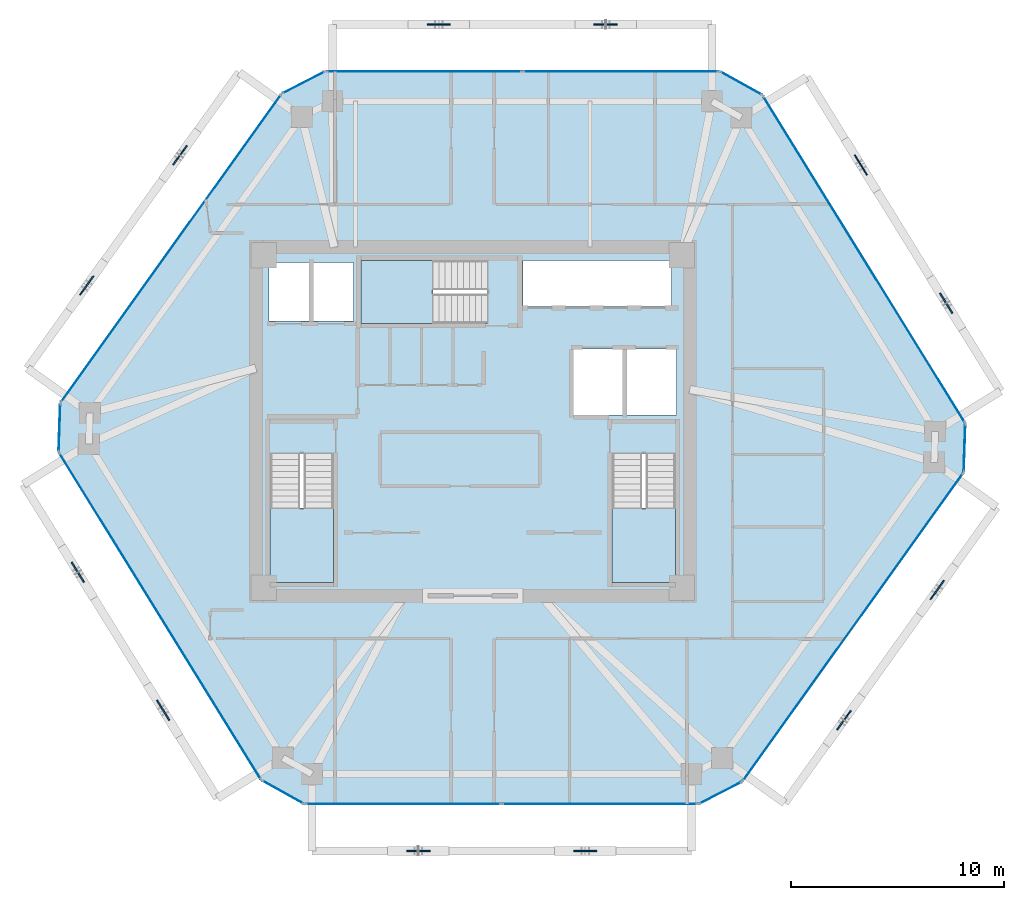
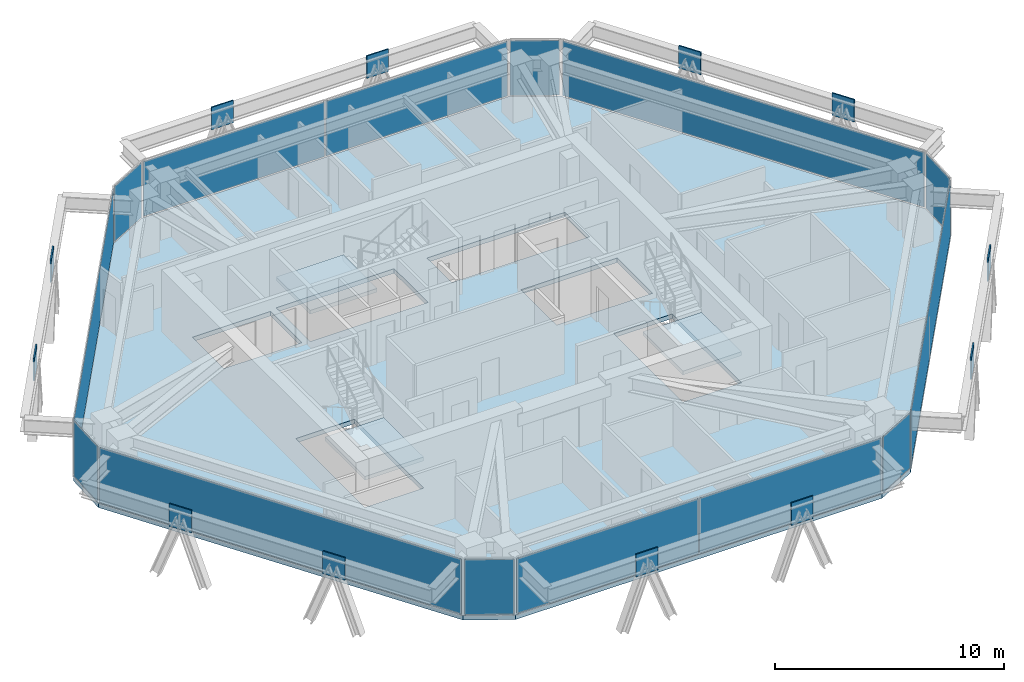
# One storey, part 7 of 14: 26 plates, 4 slabs, 15 elements without a shape of their own.
"""IFC4 building model written with IfcOpenShell, lengths in metres."""

from ifc_helpers import new_model, si_unit, direction, frame, origin, origin_2d, place, context, subcontext, project, spatial, polyline, rectangle, outline, extrude, source, transform, mapped, material, layer, layer_set, type_object, type_shapes, element, aggregate, save


model = new_model("IFC4")

# Units and contexts
model_context = context("Model", 3, precision=1e-05, world=origin(), true_north=direction((0.0, 1.0)))
body_context = subcontext(model_context, "Body", "Model", "MODEL_VIEW")
ifc_project = project(units=[si_unit("LENGTHUNIT", "METRE"), si_unit("AREAUNIT", "SQUARE_METRE"), si_unit("VOLUMEUNIT", "CUBIC_METRE"), si_unit("PLANEANGLEUNIT", "RADIAN"), si_unit("MASSUNIT", "GRAM", prefix="KILO")], contexts=[model_context])

# Site, building, storey
site_placement = place(None, origin())
site = spatial("IfcSite", under=ifc_project, at=site_placement, CompositionType="ELEMENT")
building_placement = place(site_placement, origin())
building = spatial("IfcBuilding", under=site, at=building_placement, Name="Durnholm Broadcast Tower", CompositionType="ELEMENT")
storey_placement = place(building_placement, frame((0.0, 0.0, 180.39990234375)))
storey = spatial("IfcBuildingStorey", under=building, at=storey_placement, Name="L49", CompositionType="ELEMENT", Elevation=180.39990234375)

# Slab
ifc_material_1 = material(Name="Concrete C50/60", Category="concrete")
ifc_layer_1 = layer(ifc_material_1, 0.239990234375)
ifc_layer_set_1 = layer_set([ifc_layer_1], Name="Concrete C50/60")
slab_type_1 = type_object("IfcSlabType", Name="SLAB-FLR-240", PredefinedType="FLOOR", material=ifc_layer_set_1)
slab_1_placement = place(storey_placement, frame((0.0, 0.0, -0.239990234375)))
element("IfcSlab", 1, at=slab_1_placement, inside=storey, type_object=slab_type_1, Name="L49 structural floor slab", PredefinedType="FLOOR", context=body_context, shape_type="SweptSolid", body=[
    extrude(outline(polyline([(-9.912353515625, -16.822021484375), (-7.9033203125, -17.94189453125), (10.59521484375, -17.94189453125), (12.64111328125, -16.890625), (23.022705078125, -2.390380859375), (23.1005859375, -0.091552734375), (13.59033203125, 15.2978515625), (11.581298828125, 16.41796875), (-6.917236328125, 16.41796875), (-8.962890625, 15.36669921875), (-19.3447265625, 0.8662109375), (-19.422607421875, -1.432373046875), (-9.912353515625, -16.822021484375)]), holes=[polyline([(-6.5400390625, -1.5), (-9.5, -1.5), (-9.5, -7.550048828125), (-6.5400390625, -7.550048828125), (-6.5400390625, -1.5)]), polyline([(9.5, -7.550048828125), (9.5, -1.5), (6.5400390625, -1.5), (6.5400390625, -7.550048828125), (9.5, -7.550048828125)]), polyline([(9.550048828125, 3.39990234375), (4.699951171875, 3.39990234375), (4.699951171875, 0.300048828125), (9.550048828125, 0.300048828125), (9.550048828125, 3.39990234375)]), polyline([(-9.550048828125, 7.449951171875), (-9.550048828125, 4.699951171875), (-5.60009765625, 4.699951171875), (-5.60009765625, 7.449951171875), (-9.550048828125, 7.449951171875)]), polyline([(-5.25, 4.60009765625), (0.699951171875, 4.60009765625), (0.699951171875, 7.56005859375), (-5.25, 7.56005859375), (-5.25, 4.60009765625)]), polyline([(9.31005859375, 7.550048828125), (2.35009765625, 7.550048828125), (2.35009765625, 5.39990234375), (9.31005859375, 5.39990234375), (9.31005859375, 7.550048828125)])]), origin(), (0.0, 0.0, 1.0), 0.239990234375),
])

# Stair, slab
stair_type = type_object("IfcStairType", Name="STAIR-DL-20R1650", PredefinedType="HALF_TURN_STAIR", material=ifc_material_1)
stair_1_placement = place(storey_placement, origin())
stair_1 = element("IfcStair", 2, at=stair_1_placement, inside=storey, type_object=stair_type, Name="L49 ST-1", PredefinedType="HALF_TURN_STAIR")
ifc_layer_2 = layer(ifc_material_1, 0.199951171875)
ifc_layer_set_2 = layer_set([ifc_layer_2], Name="Concrete C50/60")
slab_type_2 = type_object("IfcSlabType", Name="SLAB-LND-200", PredefinedType="LANDING", material=ifc_layer_set_2)
slab_2_placement = place(storey_placement, frame((0.0, 0.0, 1.4501953125)))
slab_2 = element("IfcSlab", 3, at=slab_2_placement, type_object=slab_type_2, Name="ST-1 landing 1", PredefinedType="LANDING", context=body_context, shape_type="SweptSolid", body=[
    extrude(outline(polyline([(-9.5, -4.06494140625), (-9.5, -7.550048828125), (-6.5400390625, -7.550048828125), (-6.5400390625, -4.06494140625), (-9.5, -4.06494140625)])), origin(), (0.0, 0.0, 1.0), 0.199951171875),
])
aggregate(stair_1, [slab_2])

stair_2_placement = place(storey_placement, origin())
stair_2 = element("IfcStair", 4, at=stair_2_placement, inside=storey, type_object=stair_type, Name="L49 ST-2", PredefinedType="HALF_TURN_STAIR")
slab_3_placement = place(storey_placement, frame((0.0, 0.0, 1.4501953125)))
slab_3 = element("IfcSlab", 5, at=slab_3_placement, type_object=slab_type_2, Name="ST-2 landing 1", PredefinedType="LANDING", context=body_context, shape_type="SweptSolid", body=[
    extrude(outline(polyline([(6.5400390625, -4.06494140625), (6.5400390625, -7.550048828125), (9.5, -7.550048828125), (9.5, -4.06494140625), (6.5400390625, -4.06494140625)])), origin(), (0.0, 0.0, 1.0), 0.199951171875),
])
aggregate(stair_2, [slab_3])

stair_3_placement = place(storey_placement, origin())
stair_3 = element("IfcStair", 6, at=stair_3_placement, inside=storey, type_object=stair_type, Name="L49 ST-3", PredefinedType="HALF_TURN_STAIR")
slab_4_placement = place(storey_placement, frame((0.0, 0.0, 1.4501953125)))
slab_4 = element("IfcSlab", 7, at=slab_4_placement, type_object=slab_type_2, Name="ST-3 landing 1", PredefinedType="LANDING", context=body_context, shape_type="SweptSolid", body=[
    extrude(outline(polyline([(-1.864990234375, 7.56005859375), (-5.25, 7.56005859375), (-5.25, 4.60009765625), (-1.864990234375, 4.60009765625), (-1.864990234375, 7.56005859375)])), origin(), (0.0, 0.0, 1.0), 0.199951171875),
])
aggregate(stair_3, [slab_4])

# Plates
ifc_material_2 = material(Name="Steel ASTM A572 Grade 50", Category="steel")
ifc_layer_3 = layer(ifc_material_2, 0.06494140625)
ifc_layer_set_3 = layer_set([ifc_layer_3], Name="Steel ASTM A572 Grade 50")
plate_type_1 = type_object("IfcPlateType", Name="PLT-KN07-GUS", PredefinedType="USERDEFINED", material=ifc_layer_set_3)
shared_shape_1 = source(origin(), body_context, "Body", "SweptSolid", [
    extrude(rectangle(XDim=1.10009765625, YDim=0.06494140625, at=origin_2d()), origin(), (0.0, 0.0, 1.0), 1.199951171875),
])
type_shapes(plate_type_1, [shared_shape_1])
for number, where, z_axis, x_axis, name in (
    (8, (-2.556640625, -20.14208984375, 1.70849609375), (0.0, 0.0, 1.0), (1.0, 0.0, 0.0), "L49 welded diagrid node gusset plate KN07 F1"),
    (9, (5.273681640625, -20.14208984375, 1.70849609375), (0.0, 0.0, 1.0), (1.0, 0.0, 0.0), "L49 welded diagrid node gusset plate KN07 F1"),
    (10, (17.40966796875, -14.009521484375, 1.70849609375), (0.0, 0.0, 1.0), (0.582122970157, 0.813100761047, 0.0), "L49 welded diagrid node gusset plate KN07 F2"),
    (11, (21.782470703125, -7.90185546875, 1.70849609375), (0.0, 0.0, 1.0), (0.582122970157, 0.813100761047, 0.0), "L49 welded diagrid node gusset plate KN07 F2"),
    (12, (22.202392578125, 5.546875, 1.70849609375), (0.0, 0.0, 1.0), (-0.525768608156, 0.850627633385, 0.0), "L49 welded diagrid node gusset plate KN07 F3"),
    (13, (18.2001953125, 12.023193359375, 1.70849609375), (0.0, 0.0, 1.0), (-0.525768608156, 0.850627633385, 0.0), "L49 welded diagrid node gusset plate KN07 F3"),
    (14, (6.234619140625, 18.617919921875, 1.70849609375), (0.0, 0.0, 1.0), (-1.0, 0.0, 0.0), "L49 welded diagrid node gusset plate KN07 F4"),
    (15, (-1.595703125, 18.617919921875, 1.70849609375), (0.0, 0.0, 1.0), (-1.0, 0.0, 0.0), "L49 welded diagrid node gusset plate KN07 F4"),
    (16, (-13.731689453125, 12.485595703125, 1.70849609375), (0.0, 0.0, 1.0), (-0.582122970157, -0.813100761047, 0.0), "L49 welded diagrid node gusset plate KN07 F5"),
    (17, (-18.1044921875, 6.3779296875, 1.70849609375), (0.0, 0.0, 1.0), (-0.582122970157, -0.813100761047, 0.0), "L49 welded diagrid node gusset plate KN07 F5"),
    (18, (-18.5244140625, -7.07080078125, 1.70849609375), (0.0, 0.0, 1.0), (0.525768608156, -0.850627633385, 0.0), "L49 welded diagrid node gusset plate KN07 F6"),
    (19, (-14.522216796875, -13.54736328125, 1.70849609375), (0.0, 0.0, 1.0), (0.525768608156, -0.850627633385, 0.0), "L49 welded diagrid node gusset plate KN07 F6"),
):
    element("IfcPlate", number, at=place(storey_placement, frame(where, z_axis=z_axis, x_axis=x_axis)), inside=storey, type_object=plate_type_1, Name=name, ObjectType="GUSSET_PLATE", PredefinedType="USERDEFINED", context=body_context, shape_type="MappedRepresentation", body=[
        mapped(shared_shape_1, transform((0.0, 0.0, 0.0), x_axis=(1.0, 0.0, 0.0), y_axis=(0.0, 1.0, 0.0), z_axis=(0.0, 0.0, 1.0), scale=1.0)),
    ])

# Curtain wall, plate
ifc_material_3 = material(Name="Aluminium and Solar Control IGU", Category="aluminium")
ifc_layer_4 = layer(ifc_material_3, 0.1650390625)
ifc_layer_set_4 = layer_set([ifc_layer_4], Name="Aluminium and Solar Control IGU")
curtain_wall_type_1 = type_object("IfcCurtainWallType", Name="CW-SYS-5", PredefinedType="NOTDEFINED", material=ifc_layer_set_4)
curtain_wall_1_placement = place(storey_placement, origin())
curtain_wall_1 = element("IfcCurtainWall", 20, at=curtain_wall_1_placement, inside=storey, type_object=curtain_wall_type_1, Name="L49 curtain wall CW-CORNER CW-L49-CRN-01", PredefinedType="NOTDEFINED")
ifc_material_4 = material(Name="Low-E Laminated Insulating Glass", Category="glass")
ifc_layer_5 = layer(ifc_material_4, 0.030029296875)
ifc_layer_set_5 = layer_set([ifc_layer_5], Name="Low-E Laminated Insulating Glass")
plate_type_2 = type_object("IfcPlateType", Name="CW-SYS-5-PNL", PredefinedType="CURTAIN_PANEL", material=ifc_layer_set_5)
shared_shape_2 = source(origin(), body_context, "Body", "SweptSolid", [
    extrude(rectangle(XDim=2.169921875, YDim=0.030029296875, at=origin_2d()), origin(), (0.0, 0.0, 1.0), 2.929931640625),
])
plate_1_placement = place(storey_placement, frame((-19.3837890625, -0.282958984375, 0.06494140625), z_axis=(0.0, 0.0, 1.0), x_axis=(0.033912704699, 0.999424798802, 0.0)))
plate_1 = element("IfcPlate", 21, at=plate_1_placement, type_object=plate_type_2, Name="CW-CORNER panel 1.1", PredefinedType="CURTAIN_PANEL", context=body_context, shape_type="MappedRepresentation", body=[
    mapped(shared_shape_2, transform((0.0, 0.0, 0.0), x_axis=(1.0, 0.0, 0.0), y_axis=(0.0, 1.0, 0.0), z_axis=(0.0, 0.0, 1.0), scale=1.0)),
])
aggregate(curtain_wall_1, [plate_1])

curtain_wall_2_placement = place(storey_placement, origin())
curtain_wall_2 = element("IfcCurtainWall", 22, at=curtain_wall_2_placement, inside=storey, type_object=curtain_wall_type_1, Name="L49 curtain wall CW-CORNER CW-L49-CRN-03", PredefinedType="NOTDEFINED")
plate_2_placement = place(storey_placement, frame((-7.940185546875, 15.892333984375, 0.06494140625), z_axis=(0.0, 0.0, 1.0), x_axis=(0.889424679545, 0.457081764476, 0.0)))
plate_2 = element("IfcPlate", 23, at=plate_2_placement, type_object=plate_type_2, Name="CW-CORNER panel 1.1", PredefinedType="CURTAIN_PANEL", context=body_context, shape_type="MappedRepresentation", body=[
    mapped(shared_shape_2, transform((0.0, 0.0, 0.0), x_axis=(1.0, 0.0, 0.0), y_axis=(0.0, 1.0, 0.0), z_axis=(0.0, 0.0, 1.0), scale=1.0)),
])
aggregate(curtain_wall_2, [plate_2])

curtain_wall_3_placement = place(storey_placement, origin())
curtain_wall_3 = element("IfcCurtainWall", 24, at=curtain_wall_3_placement, inside=storey, type_object=curtain_wall_type_1, Name="L49 curtain wall CW-CORNER CW-L49-CRN-07", PredefinedType="NOTDEFINED")
plate_3_placement = place(storey_placement, frame((23.061767578125, -1.240966796875, 0.06494140625), z_axis=(0.0, 0.0, 1.0), x_axis=(-0.033912704699, -0.999424798802, 0.0)))
plate_3 = element("IfcPlate", 25, at=plate_3_placement, type_object=plate_type_2, Name="CW-CORNER panel 1.1", PredefinedType="CURTAIN_PANEL", context=body_context, shape_type="MappedRepresentation", body=[
    mapped(shared_shape_2, transform((0.0, 0.0, 0.0), x_axis=(1.0, 0.0, 0.0), y_axis=(0.0, 1.0, 0.0), z_axis=(0.0, 0.0, 1.0), scale=1.0)),
])
aggregate(curtain_wall_3, [plate_3])

curtain_wall_4_placement = place(storey_placement, origin())
curtain_wall_4 = element("IfcCurtainWall", 26, at=curtain_wall_4_placement, inside=storey, type_object=curtain_wall_type_1, Name="L49 curtain wall CW-CORNER CW-L49-CRN-09", PredefinedType="NOTDEFINED")
plate_4_placement = place(storey_placement, frame((11.6181640625, -17.416259765625, 0.06494140625), z_axis=(0.0, 0.0, 1.0), x_axis=(-0.889424679545, -0.457081764476, 0.0)))
plate_4 = element("IfcPlate", 27, at=plate_4_placement, type_object=plate_type_2, Name="CW-CORNER panel 1.1", PredefinedType="CURTAIN_PANEL", context=body_context, shape_type="MappedRepresentation", body=[
    mapped(shared_shape_2, transform((0.0, 0.0, 0.0), x_axis=(1.0, 0.0, 0.0), y_axis=(0.0, 1.0, 0.0), z_axis=(0.0, 0.0, 1.0), scale=1.0)),
])
aggregate(curtain_wall_4, [plate_4])

ifc_layer_6 = layer(ifc_material_3, 0.18994140625)
ifc_layer_set_6 = layer_set([ifc_layer_6], Name="Aluminium and Solar Control IGU")
curtain_wall_type_2 = type_object("IfcCurtainWallType", Name="CW-SYS-4", PredefinedType="NOTDEFINED", material=ifc_layer_set_6)
curtain_wall_5_placement = place(storey_placement, origin())
curtain_wall_5 = element("IfcCurtainWall", 28, at=curtain_wall_5_placement, inside=storey, type_object=curtain_wall_type_2, Name="L49 curtain wall CW-Z34-VIS CW-L49-F02", PredefinedType="NOTDEFINED")
ifc_layer_7 = layer(ifc_material_4, 0.033935546875)
ifc_layer_set_7 = layer_set([ifc_layer_7], Name="Low-E Laminated Insulating Glass")
plate_type_3 = type_object("IfcPlateType", Name="CW-SYS-4-PNL", PredefinedType="CURTAIN_PANEL", material=ifc_layer_set_7)
shared_shape_3 = source(origin(), body_context, "Body", "SweptSolid", [
    extrude(rectangle(XDim=17.693603515625, YDim=0.033935546875, at=origin_2d()), origin(), (0.0, 0.0, 1.0), 2.919921875),
])
plate_5_placement = place(storey_placement, frame((-14.15380859375, 8.116455078125, 0.070068359375), z_axis=(0.0, 0.0, 1.0), x_axis=(0.582139030549, 0.813089262696, 0.0)))
plate_5 = element("IfcPlate", 29, at=plate_5_placement, type_object=plate_type_3, Name="CW-Z34-VIS panel 1.1", PredefinedType="CURTAIN_PANEL", context=body_context, shape_type="MappedRepresentation", body=[
    mapped(shared_shape_3, transform((0.0, 0.0, 0.0), x_axis=(1.0, 0.0, 0.0), y_axis=(0.0, 1.0, 0.0), z_axis=(0.0, 0.0, 1.0), scale=1.0)),
])
aggregate(curtain_wall_5, [plate_5])

curtain_wall_6_placement = place(storey_placement, origin())
curtain_wall_6 = element("IfcCurtainWall", 30, at=curtain_wall_6_placement, inside=storey, type_object=curtain_wall_type_2, Name="L49 curtain wall CW-Z34-VIS CW-L49-F08", PredefinedType="NOTDEFINED")
plate_6_placement = place(storey_placement, frame((17.831787109375, -9.640380859375, 0.070068359375), z_axis=(0.0, 0.0, 1.0), x_axis=(-0.582139030549, -0.813089262696, 0.0)))
plate_6 = element("IfcPlate", 31, at=plate_6_placement, type_object=plate_type_3, Name="CW-Z34-VIS panel 1.1", PredefinedType="CURTAIN_PANEL", context=body_context, shape_type="MappedRepresentation", body=[
    mapped(shared_shape_3, transform((0.0, 0.0, 0.0), x_axis=(1.0, 0.0, 0.0), y_axis=(0.0, 1.0, 0.0), z_axis=(0.0, 0.0, 1.0), scale=1.0)),
])
aggregate(curtain_wall_6, [plate_6])

# Curtain wall, plates
curtain_wall_7_placement = place(storey_placement, origin())
curtain_wall_7 = element("IfcCurtainWall", 32, at=curtain_wall_7_placement, inside=storey, type_object=curtain_wall_type_2, Name="L49 curtain wall CW-Z34-VIS CW-L49-F04", PredefinedType="NOTDEFINED")
shared_shape_4 = source(origin(), body_context, "Body", "SweptSolid", [
    extrude(rectangle(XDim=9.144287109375, YDim=0.033935546875, at=origin_2d()), origin(), (0.0, 0.0, 1.0), 2.919921875),
])
plate_7_placement = place(storey_placement, frame((-2.275146484375, 16.41796875, 0.070068359375), z_axis=(0.0, 0.0, 1.0), x_axis=(1.0, 0.0, 0.0)))
plate_7 = element("IfcPlate", 33, at=plate_7_placement, type_object=plate_type_3, Name="CW-Z34-VIS panel 1.1", PredefinedType="CURTAIN_PANEL", context=body_context, shape_type="MappedRepresentation", body=[
    mapped(shared_shape_4, transform((0.0, 0.0, 0.0), x_axis=(1.0, 0.0, 0.0), y_axis=(0.0, 1.0, 0.0), z_axis=(0.0, 0.0, 1.0), scale=1.0)),
])
plate_8_placement = place(storey_placement, frame((6.939208984375, 16.41796875, 0.070068359375), z_axis=(0.0, 0.0, 1.0), x_axis=(1.0, 0.0, 0.0)))
plate_8 = element("IfcPlate", 34, at=plate_8_placement, type_object=plate_type_3, Name="CW-Z34-VIS panel 2.1", PredefinedType="CURTAIN_PANEL", context=body_context, shape_type="MappedRepresentation", body=[
    mapped(shared_shape_4, transform((0.0, 0.0, 0.0), x_axis=(1.0, 0.0, 0.0), y_axis=(0.0, 1.0, 0.0), z_axis=(0.0, 0.0, 1.0), scale=1.0)),
])
aggregate(curtain_wall_7, [plate_7, plate_8])

curtain_wall_8_placement = place(storey_placement, origin())
curtain_wall_8 = element("IfcCurtainWall", 35, at=curtain_wall_8_placement, inside=storey, type_object=curtain_wall_type_2, Name="L49 curtain wall CW-Z34-VIS CW-L49-F10", PredefinedType="NOTDEFINED")
plate_9_placement = place(storey_placement, frame((5.953125, -17.94189453125, 0.070068359375), z_axis=(0.0, 0.0, 1.0), x_axis=(-1.0, 0.0, 0.0)))
plate_9 = element("IfcPlate", 36, at=plate_9_placement, type_object=plate_type_3, Name="CW-Z34-VIS panel 1.1", PredefinedType="CURTAIN_PANEL", context=body_context, shape_type="MappedRepresentation", body=[
    mapped(shared_shape_4, transform((0.0, 0.0, 0.0), x_axis=(1.0, 0.0, 0.0), y_axis=(0.0, 1.0, 0.0), z_axis=(0.0, 0.0, 1.0), scale=1.0)),
])
plate_10_placement = place(storey_placement, frame((-3.26123046875, -17.94189453125, 0.070068359375), z_axis=(0.0, 0.0, 1.0), x_axis=(-1.0, 0.0, 0.0)))
plate_10 = element("IfcPlate", 37, at=plate_10_placement, type_object=plate_type_3, Name="CW-Z34-VIS panel 2.1", PredefinedType="CURTAIN_PANEL", context=body_context, shape_type="MappedRepresentation", body=[
    mapped(shared_shape_4, transform((0.0, 0.0, 0.0), x_axis=(1.0, 0.0, 0.0), y_axis=(0.0, 1.0, 0.0), z_axis=(0.0, 0.0, 1.0), scale=1.0)),
])
aggregate(curtain_wall_8, [plate_9, plate_10])

# Curtain wall, plate
curtain_wall_9_placement = place(storey_placement, origin())
curtain_wall_9 = element("IfcCurtainWall", 38, at=curtain_wall_9_placement, inside=storey, type_object=curtain_wall_type_1, Name="L49 curtain wall CW-CORNER CW-L49-CRN-05", PredefinedType="NOTDEFINED")
shared_shape_5 = source(origin(), body_context, "Body", "SweptSolid", [
    extrude(rectangle(XDim=2.170166015625, YDim=0.030029296875, at=origin_2d()), origin(), (0.0, 0.0, 1.0), 2.929931640625),
])
type_shapes(plate_type_2, [shared_shape_2, shared_shape_5])
plate_11_placement = place(storey_placement, frame((12.5859375, 15.85791015625, 0.06494140625), z_axis=(0.0, 0.0, 1.0), x_axis=(0.873409751271, -0.486986043316, 0.0)))
plate_11 = element("IfcPlate", 39, at=plate_11_placement, type_object=plate_type_2, Name="CW-CORNER panel 1.1", PredefinedType="CURTAIN_PANEL", context=body_context, shape_type="MappedRepresentation", body=[
    mapped(shared_shape_5, transform((0.0, 0.0, 0.0), x_axis=(1.0, 0.0, 0.0), y_axis=(0.0, 1.0, 0.0), z_axis=(0.0, 0.0, 1.0), scale=1.0)),
])
aggregate(curtain_wall_9, [plate_11])

curtain_wall_10_placement = place(storey_placement, origin())
curtain_wall_10 = element("IfcCurtainWall", 40, at=curtain_wall_10_placement, inside=storey, type_object=curtain_wall_type_1, Name="L49 curtain wall CW-CORNER CW-L49-CRN-11", PredefinedType="NOTDEFINED")
plate_12_placement = place(storey_placement, frame((-8.907958984375, -17.3818359375, 0.06494140625), z_axis=(0.0, 0.0, 1.0), x_axis=(-0.873409751271, 0.486986043316, 0.0)))
plate_12 = element("IfcPlate", 41, at=plate_12_placement, type_object=plate_type_2, Name="CW-CORNER panel 1.1", PredefinedType="CURTAIN_PANEL", context=body_context, shape_type="MappedRepresentation", body=[
    mapped(shared_shape_5, transform((0.0, 0.0, 0.0), x_axis=(1.0, 0.0, 0.0), y_axis=(0.0, 1.0, 0.0), z_axis=(0.0, 0.0, 1.0), scale=1.0)),
])
aggregate(curtain_wall_10, [plate_12])

curtain_wall_11_placement = place(storey_placement, origin())
curtain_wall_11 = element("IfcCurtainWall", 42, at=curtain_wall_11_placement, inside=storey, type_object=curtain_wall_type_2, Name="L49 curtain wall CW-Z34-VIS CW-L49-F06", PredefinedType="NOTDEFINED")
shared_shape_6 = source(origin(), body_context, "Body", "SweptSolid", [
    extrude(rectangle(XDim=17.950927734375, YDim=0.033935546875, at=origin_2d()), origin(), (0.0, 0.0, 1.0), 2.919921875),
])
type_shapes(plate_type_3, [shared_shape_3, shared_shape_4, shared_shape_6])
plate_13_placement = place(storey_placement, frame((18.345458984375, 7.603271484375, 0.070068359375), z_axis=(0.0, 0.0, 1.0), x_axis=(0.525697750452, -0.850671426092, 0.0)))
plate_13 = element("IfcPlate", 43, at=plate_13_placement, type_object=plate_type_3, Name="CW-Z34-VIS panel 1.1", PredefinedType="CURTAIN_PANEL", context=body_context, shape_type="MappedRepresentation", body=[
    mapped(shared_shape_6, transform((0.0, 0.0, 0.0), x_axis=(1.0, 0.0, 0.0), y_axis=(0.0, 1.0, 0.0), z_axis=(0.0, 0.0, 1.0), scale=1.0)),
])
aggregate(curtain_wall_11, [plate_13])

curtain_wall_12_placement = place(storey_placement, origin())
curtain_wall_12 = element("IfcCurtainWall", 44, at=curtain_wall_12_placement, inside=storey, type_object=curtain_wall_type_2, Name="L49 curtain wall CW-Z34-VIS CW-L49-F12", PredefinedType="NOTDEFINED")
plate_14_placement = place(storey_placement, frame((-14.66748046875, -9.127197265625, 0.070068359375), z_axis=(0.0, 0.0, 1.0), x_axis=(-0.525697750452, 0.850671426092, 0.0)))
plate_14 = element("IfcPlate", 45, at=plate_14_placement, type_object=plate_type_3, Name="CW-Z34-VIS panel 1.1", PredefinedType="CURTAIN_PANEL", context=body_context, shape_type="MappedRepresentation", body=[
    mapped(shared_shape_6, transform((0.0, 0.0, 0.0), x_axis=(1.0, 0.0, 0.0), y_axis=(0.0, 1.0, 0.0), z_axis=(0.0, 0.0, 1.0), scale=1.0)),
])
aggregate(curtain_wall_12, [plate_14])

save(model, "model.ifc")
